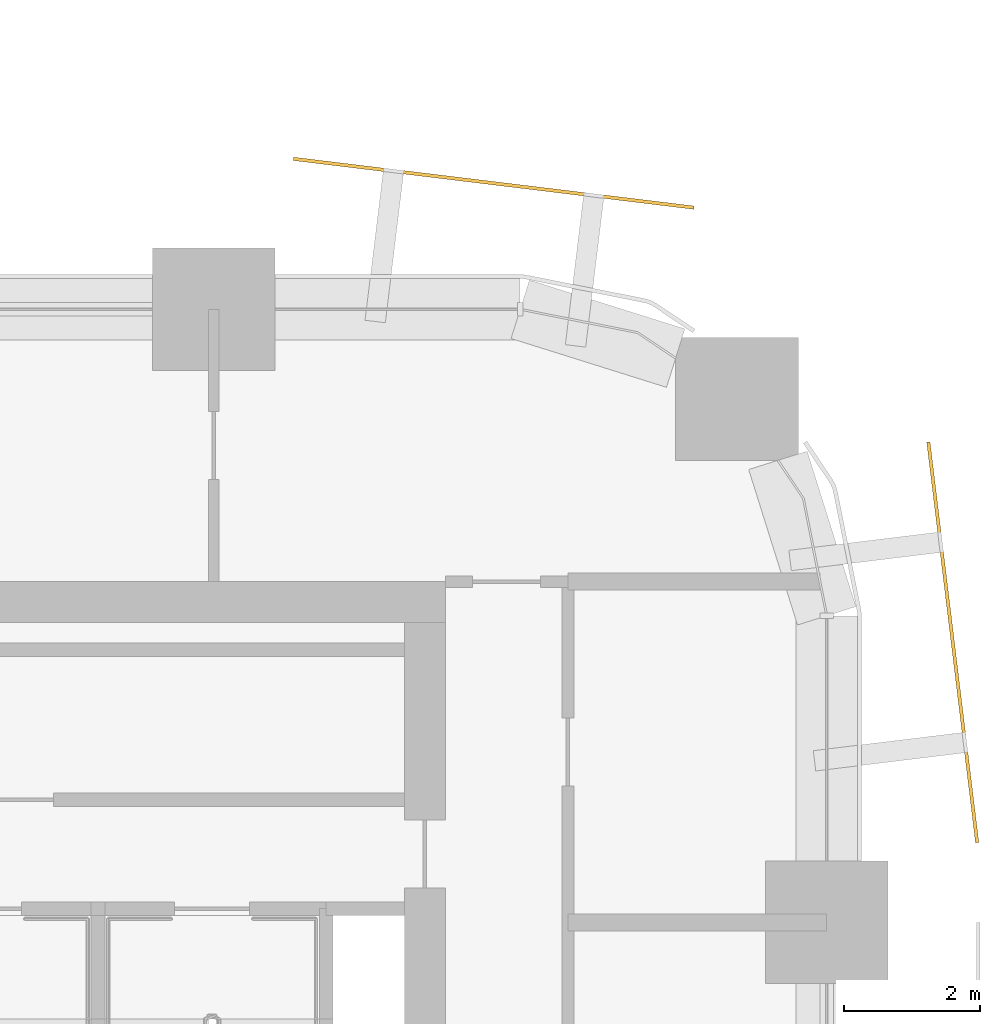
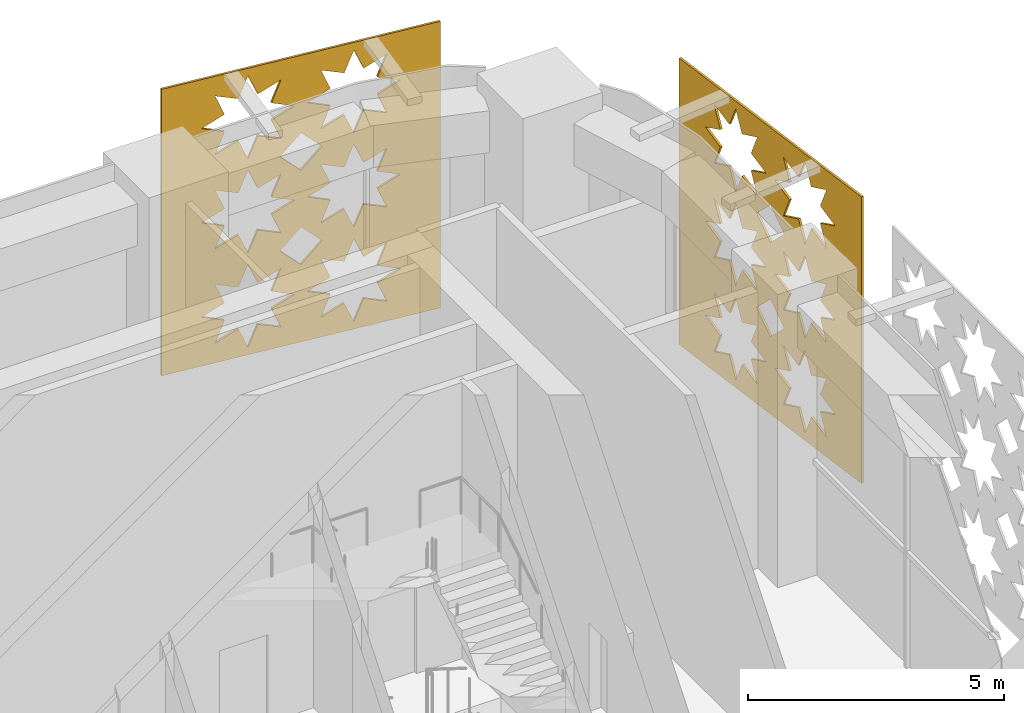
# One storey, part 42 of 42: 2 coverings.
"""IFC4 building model written with IfcOpenShell, lengths in metres."""

from ifc_helpers import new_model, si_unit, direction, frame, origin, place, context, subcontext, project, spatial, polyline, outline, extrude, material, layer, layer_set, type_object, element, save


model = new_model("IFC4")

# Units and contexts
model_context = context("Model", 3, precision=1e-05, world=origin(), true_north=direction((0.0, 1.0)))
body_context = subcontext(model_context, "Body", "Model", "MODEL_VIEW")
ifc_project = project(units=[si_unit("LENGTHUNIT", "METRE"), si_unit("AREAUNIT", "SQUARE_METRE"), si_unit("VOLUMEUNIT", "CUBIC_METRE"), si_unit("PLANEANGLEUNIT", "RADIAN"), si_unit("MASSUNIT", "GRAM", prefix="KILO")], contexts=[model_context])

# Site, building, storey
site_placement = place(None, origin())
site = spatial("IfcSite", under=ifc_project, at=site_placement, CompositionType="ELEMENT")
building_placement = place(site_placement, origin())
building = spatial("IfcBuilding", under=site, at=building_placement, Name="Tessera Arch", CompositionType="ELEMENT")
storey_placement = place(building_placement, frame((0.0, 0.0, 14.0)))
storey = spatial("IfcBuildingStorey", under=building, at=storey_placement, Name="L02", CompositionType="ELEMENT", Elevation=14.0)

# Coverings
ifc_material = material(Name="Anodised aluminium pale metal", Category="aluminium")
ifc_layer = layer(ifc_material, 0.050048828125)
ifc_layer_set = layer_set([ifc_layer], Name="Base lattice panel pale metal")
covering_type = type_object("IfcCoveringType", Name="Base lattice panel pale metal", PredefinedType="CLADDING", material=ifc_layer_set)
covering_1_placement = place(storey_placement, frame((56.183837890625, 46.166015625, 7.0), z_axis=(-0.992656620686, -0.120966249049, 0.0), x_axis=(-0.120966249049, 0.992656620686, 0.0)))
element("IfcCovering", 1, at=covering_1_placement, inside=storey, type_object=covering_type, Name="Base lattice panel E54.0/4 L02", PredefinedType="CLADDING", context=body_context, shape_type="SweptSolid", body=[
    extrude(outline(polyline([(0.0, 0.0), (5.925593962252626, 0.0), (5.925593962252626, 6.840087890625), (0.0, 6.840087890625), (0.0, 0.0)]), holes=[polyline([(2.828132860395926, 5.669921875), (2.336987823767969, 5.462890625), (2.53815207532478, 4.969970703125), (2.0440693322277617, 5.1708984375), (1.8379695261883193, 4.679931640625), (1.6311131439498763, 5.1708984375), (1.1379997920839962, 4.969970703125), (1.3391640436408068, 5.462890625), (0.84801900701285, 5.669921875), (1.3391640436408068, 5.876953125), (1.1379997920839962, 6.3701171875), (1.6311131439498763, 6.1689453125), (1.8379695261883193, 6.659912109375), (2.0440693322277617, 6.1689453125), (2.53815207532478, 6.3701171875), (2.336987823767969, 5.876953125), (2.828132860395926, 5.669921875)]), polyline([(2.828132860395926, 3.419921875), (2.336987823767969, 3.212890625), (2.53815207532478, 2.719970703125), (2.0440693322277617, 2.9208984375), (1.8379695261883193, 2.429931640625), (1.6311131439498763, 2.9208984375), (1.1379997920839962, 2.719970703125), (1.3391640436408068, 3.212890625), (0.84801900701285, 3.419921875), (1.3391640436408068, 3.626953125), (1.1379997920839962, 4.1201171875), (1.6311131439498763, 3.9189453125), (1.8379695261883193, 4.409912109375), (2.0440693322277617, 3.9189453125), (2.53815207532478, 4.1201171875), (2.336987823767969, 3.626953125), (2.828132860395926, 3.419921875)]), polyline([(2.828132860395926, 1.169921875), (2.336987823767969, 0.962890625), (2.53815207532478, 0.469970703125), (2.0440693322277617, 0.6708984375), (1.8379695261883193, 0.179931640625), (1.6311131439498763, 0.6708984375), (1.1379997920839962, 0.469970703125), (1.3391640436408068, 0.962890625), (0.84801900701285, 1.169921875), (1.3391640436408068, 1.376953125), (1.1379997920839962, 1.8701171875), (1.6311131439498763, 1.6689453125), (1.8379695261883193, 2.159912109375), (2.0440693322277617, 1.6689453125), (2.53815207532478, 1.8701171875), (2.336987823767969, 1.376953125), (2.828132860395926, 1.169921875)]), polyline([(5.078059650855345, 5.669921875), (4.5871569620351735, 5.462890625), (4.7880788657841995, 4.969970703125), (4.294208937719319, 5.1708984375), (4.088109131679876, 4.679931640625), (3.8810399344092956, 5.1708984375), (3.3881393975755536, 4.969970703125), (3.5890908341002263, 5.462890625), (3.0979457974722693, 5.669921875), (3.5890908341002263, 5.876953125), (3.3881393975755536, 6.3701171875), (3.8810399344092956, 6.1689453125), (4.088109131679876, 6.659912109375), (4.294208937719319, 6.1689453125), (4.7880788657841995, 6.3701171875), (4.5871569620351735, 5.876953125), (5.078059650855345, 5.669921875)]), polyline([(5.078059650855345, 3.419921875), (4.5871569620351735, 3.212890625), (4.7880788657841995, 2.719970703125), (4.294208937719319, 2.9208984375), (4.088109131679876, 2.429931640625), (3.8810399344092956, 2.9208984375), (3.3881393975755536, 2.719970703125), (3.5890908341002263, 3.212890625), (3.0979457974722693, 3.419921875), (3.5890908341002263, 3.626953125), (3.3881393975755536, 4.1201171875), (3.8810399344092956, 3.9189453125), (4.088109131679876, 4.409912109375), (4.294208937719319, 3.9189453125), (4.7880788657841995, 4.1201171875), (4.5871569620351735, 3.626953125), (5.078059650855345, 3.419921875)]), polyline([(5.078059650855345, 1.169921875), (4.5871569620351735, 0.962890625), (4.7880788657841995, 0.469970703125), (4.294208937719319, 0.6708984375), (4.088109131679876, 0.179931640625), (3.8810399344092956, 0.6708984375), (3.3881393975755536, 0.469970703125), (3.5890908341002263, 0.962890625), (3.0979457974722693, 1.169921875), (3.5890908341002263, 1.376953125), (3.3881393975755536, 1.8701171875), (3.8810399344092956, 1.6689453125), (4.088109131679876, 2.159912109375), (4.294208937719319, 1.6689453125), (4.7880788657841995, 1.8701171875), (4.5871569620351735, 1.376953125), (5.078059650855345, 1.169921875)]), polyline([(3.4130004522452033, 4.544921875), (2.96316050283799, 4.094970703125), (2.5130782056229926, 4.544921875), (2.96316050283799, 4.9951171875), (3.4130004522452033, 4.544921875)]), polyline([(3.4130004522452033, 2.294921875), (2.96316050283799, 1.844970703125), (2.5130782056229926, 2.294921875), (2.96316050283799, 2.7451171875), (3.4130004522452033, 2.294921875)])]), origin(), (0.0, 0.0, -1.0), 0.050048828125),
])
covering_2_placement = place(storey_placement, frame((52.048095703125, 55.467041015625, 7.0), z_axis=(-0.120966249049, -0.992656620686, 0.0), x_axis=(-0.992656620686, 0.120966249049, 0.0)))
element("IfcCovering", 2, at=covering_2_placement, inside=storey, type_object=covering_type, Name="Base lattice panel N54.36/0 L02", PredefinedType="CLADDING", context=body_context, shape_type="SweptSolid", body=[
    extrude(outline(polyline([(0.0, 0.0), (5.925593962252626, 0.0), (5.925593962252626, 6.840087890625), (0.0, 6.840087890625), (0.0, 0.0)]), holes=[polyline([(2.8278905125881417, 5.669921875), (2.336987823767969, 5.462890625), (2.5379392602926423, 4.969970703125), (2.0440693322277617, 5.1708984375), (1.8379695261883193, 4.679931640625), (1.6308707961420916, 5.1708984375), (1.1379997920839962, 4.969970703125), (1.3389512286086689, 5.462890625), (0.84801900701285, 5.669921875), (1.3389512286086689, 5.876953125), (1.1379997920839962, 6.3701171875), (1.6308707961420916, 6.1689453125), (1.8379695261883193, 6.659912109375), (2.0440693322277617, 6.1689453125), (2.5379392602926423, 6.3701171875), (2.336987823767969, 5.876953125), (2.8278905125881417, 5.669921875)]), polyline([(2.8278905125881417, 3.419921875), (2.336987823767969, 3.212890625), (2.5379392602926423, 2.719970703125), (2.0440693322277617, 2.9208984375), (1.8379695261883193, 2.429931640625), (1.6308707961420916, 2.9208984375), (1.1379997920839962, 2.719970703125), (1.3389512286086689, 3.212890625), (0.84801900701285, 3.419921875), (1.3389512286086689, 3.626953125), (1.1379997920839962, 4.1201171875), (1.6308707961420916, 3.9189453125), (1.8379695261883193, 4.409912109375), (2.0440693322277617, 3.9189453125), (2.5379392602926423, 4.1201171875), (2.336987823767969, 3.626953125), (2.8278905125881417, 3.419921875)]), polyline([(2.8278905125881417, 1.169921875), (2.336987823767969, 0.962890625), (2.5379392602926423, 0.469970703125), (2.0440693322277617, 0.6708984375), (1.8379695261883193, 0.179931640625), (1.6308707961420916, 0.6708984375), (1.1379997920839962, 0.469970703125), (1.3389512286086689, 0.962890625), (0.84801900701285, 1.169921875), (1.3389512286086689, 1.376953125), (1.1379997920839962, 1.8701171875), (1.6308707961420916, 1.6689453125), (1.8379695261883193, 2.159912109375), (2.0440693322277617, 1.6689453125), (2.5379392602926423, 1.8701171875), (2.336987823767969, 1.376953125), (2.8278905125881417, 1.169921875)]), polyline([(5.078059650855345, 5.669921875), (4.586914614227389, 5.462890625), (4.788108398559846, 4.969970703125), (4.293996122687181, 5.1708984375), (4.088138664455523, 4.679931640625), (3.8810399344092956, 5.1708984375), (3.3879265825434155, 4.969970703125), (3.5890908341002263, 5.462890625), (3.0979457974722693, 5.669921875), (3.5890908341002263, 5.876953125), (3.3879265825434155, 6.3701171875), (3.8810399344092956, 6.1689453125), (4.088138664455523, 6.659912109375), (4.293996122687181, 6.1689453125), (4.788108398559846, 6.3701171875), (4.586914614227389, 5.876953125), (5.078059650855345, 5.669921875)]), polyline([(5.078059650855345, 3.419921875), (4.586914614227389, 3.212890625), (4.788108398559846, 2.719970703125), (4.293996122687181, 2.9208984375), (4.088138664455523, 2.429931640625), (3.8810399344092956, 2.9208984375), (3.3879265825434155, 2.719970703125), (3.5890908341002263, 3.212890625), (3.0979457974722693, 3.419921875), (3.5890908341002263, 3.626953125), (3.3879265825434155, 4.1201171875), (3.8810399344092956, 3.9189453125), (4.088138664455523, 4.409912109375), (4.293996122687181, 3.9189453125), (4.788108398559846, 4.1201171875), (4.586914614227389, 3.626953125), (5.078059650855345, 3.419921875)]), polyline([(5.078059650855345, 1.169921875), (4.586914614227389, 0.962890625), (4.788108398559846, 0.469970703125), (4.293996122687181, 0.6708984375), (4.088138664455523, 0.179931640625), (3.8810399344092956, 0.6708984375), (3.3879265825434155, 0.469970703125), (3.5890908341002263, 0.962890625), (3.0979457974722693, 1.169921875), (3.5890908341002263, 1.376953125), (3.3879265825434155, 1.8701171875), (3.8810399344092956, 1.6689453125), (4.088138664455523, 2.159912109375), (4.293996122687181, 1.6689453125), (4.788108398559846, 1.8701171875), (4.586914614227389, 1.376953125), (5.078059650855345, 1.169921875)]), polyline([(3.4130004522452033, 4.544921875), (2.96316050283799, 4.094970703125), (2.5130782056229926, 4.544921875), (2.96316050283799, 4.9951171875), (3.4130004522452033, 4.544921875)]), polyline([(3.4130004522452033, 2.294921875), (2.96316050283799, 1.844970703125), (2.5130782056229926, 2.294921875), (2.96316050283799, 2.7451171875), (3.4130004522452033, 2.294921875)])]), origin(), (0.0, 0.0, -1.0), 0.050048828125),
])

save(model, "model.ifc")
